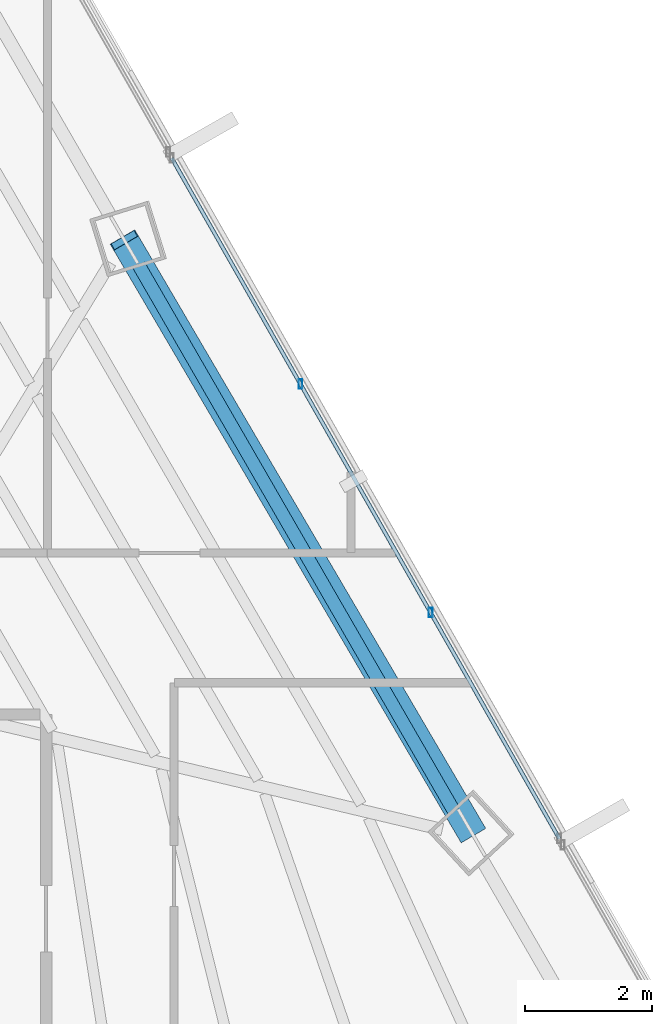
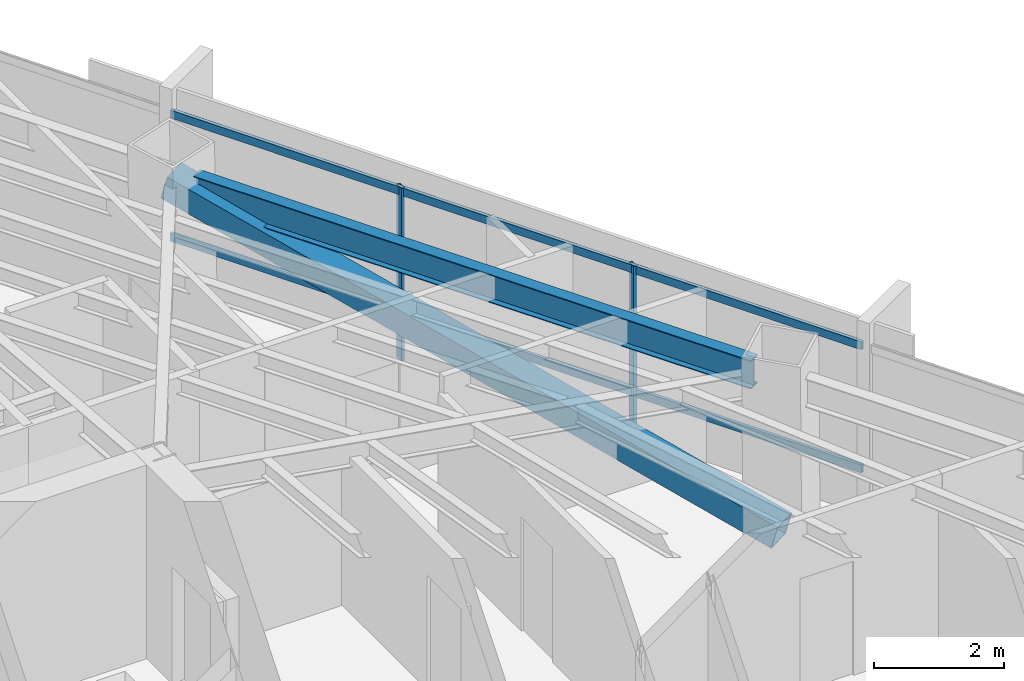
# One storey, part 25 of 40: 5 members, 1 beam, 1 element without a shape of its own.
"""IFC4 building model written with IfcOpenShell, lengths in metres."""

from ifc_helpers import new_model, si_unit, direction, frame, origin, origin_2d, place, context, subcontext, project, spatial, hollow_rectangle, i_section, extrude, source, transform, mapped, material, material_profile, profile_set, type_object, type_shapes, element, aggregate, save


model = new_model("IFC4")

# Units and contexts
model_context = context("Model", 3, precision=1e-05, world=origin(), true_north=direction((0.0, 1.0)))
body_context = subcontext(model_context, "Body", "Model", "MODEL_VIEW")
ifc_project = project(units=[si_unit("LENGTHUNIT", "METRE"), si_unit("AREAUNIT", "SQUARE_METRE"), si_unit("VOLUMEUNIT", "CUBIC_METRE"), si_unit("PLANEANGLEUNIT", "RADIAN"), si_unit("MASSUNIT", "GRAM", prefix="KILO")], contexts=[model_context])

# Site, building, storey
site_placement = place(None, origin())
site = spatial("IfcSite", under=ifc_project, at=site_placement, CompositionType="ELEMENT")
building_placement = place(site_placement, origin())
building = spatial("IfcBuilding", under=site, at=building_placement, Name="Caelisora Broadcast Tower", CompositionType="ELEMENT")
storey_placement = place(building_placement, frame((0.0, 0.0, 146.39990234375)))
storey = spatial("IfcBuildingStorey", under=building, at=storey_placement, Name="L38", CompositionType="ELEMENT", Elevation=146.39990234375)

# Beam
ifc_material_1 = material(Name="Steel Grade 350 (AS/NZS 3679.1)", Category="steel")
ifc_material_profile_1 = material_profile(ifc_material_1, i_section(OverallWidth=0.208984375, OverallDepth=0.532958984375, WebThickness=0.01025390625, FlangeThickness=0.015625, at=origin_2d()), Name="Steel Grade 350 (AS/NZS 3679.1)")
ifc_profile_set_1 = profile_set([ifc_material_profile_1], Name="Steel Grade 350 (AS/NZS 3679.1)")
beam_type = type_object("IfcBeamType", Name="PG05", PredefinedType="BEAM", material=ifc_profile_set_1)
shared_shape_1 = source(origin(), body_context, "Body", "SweptSolid", [
    extrude(i_section(OverallWidth=0.208984375, OverallDepth=0.532958984375, WebThickness=0.01025390625, FlangeThickness=0.015625, at=origin_2d()), origin(), (0.0, 0.0, 1.0), 9.93408203125),
])
type_shapes(beam_type, [shared_shape_1])
beam_placement = place(storey_placement, frame((55.0107421875, 28.085693359375, 2.983642578125), z_axis=(-0.499995463244, 0.866028023066, 0.0), x_axis=(-0.866028023066, -0.499995463244, 0.0)))
element("IfcBeam", 1, at=beam_placement, inside=storey, type_object=beam_type, Name="L38 beam PG05", PredefinedType="BEAM", context=body_context, shape_type="MappedRepresentation", body=[
    mapped(shared_shape_1, transform((0.0, 0.0, 0.0), scale=1.0)),
])

# Member
ifc_material_2 = material(Name="Steel Grade 450 (AS/NZS 1163 C450L0)", Category="steel")
ifc_material_profile_2 = material_profile(ifc_material_2, hollow_rectangle(XDim=0.449951171875, YDim=0.449951171875, WallThickness=0.01611328125, at=origin_2d()), Name="Steel Grade 450 (AS/NZS 1163 C450L0)")
ifc_profile_set_2 = profile_set([ifc_material_profile_2], Name="Steel Grade 450 (AS/NZS 1163 C450L0)")
member_type_1 = type_object("IfcMemberType", Name="BR03", PredefinedType="BRACE", material=ifc_profile_set_2)
shared_shape_2 = source(origin(), body_context, "Body", "SweptSolid", [
    extrude(hollow_rectangle(XDim=0.449951171875, YDim=0.449951171875, WallThickness=0.01611328125, at=origin_2d()), origin(), (0.0, 0.0, 1.0), 11.20654296875),
])
type_shapes(member_type_1, [shared_shape_2])
member_1_placement = place(storey_placement, frame((55.295166015625, 27.737548828125, 0.10009765625), z_axis=(-0.489124233601, 0.834312790585, 0.254321944729), x_axis=(-0.862677975112, -0.50575360726, 0.0)))
element("IfcMember", 2, at=member_1_placement, inside=storey, type_object=member_type_1, Name="L38 perimeter brace BR03", PredefinedType="BRACE", context=body_context, shape_type="MappedRepresentation", body=[
    mapped(shared_shape_2, transform((0.0, 0.0, 0.0), scale=1.0)),
])

# Curtain wall, members
ifc_material_3 = material(Name="Unitised Aluminium Insulated Shadow-Box Spandrel Curtain Wall", Category="aluminium")
curtain_wall_type = type_object("IfcCurtainWallType", Name="CW-SP2", PredefinedType="NOTDEFINED", material=ifc_material_3)
curtain_wall_placement = place(storey_placement, origin())
curtain_wall = element("IfcCurtainWall", 3, at=curtain_wall_placement, inside=storey, type_object=curtain_wall_type, Name="L38 curtain wall CW-SP2", PredefinedType="NOTDEFINED")
ifc_material_4 = material(Name="Aluminium 6063-T6 Anodised Terracotta Bronze", Category="aluminium")
ifc_material_profile_3 = material_profile(ifc_material_4, hollow_rectangle(XDim=0.06005859375, YDim=0.14990234375, WallThickness=0.00341796875, at=origin_2d()), Name="Aluminium 6063-T6 Anodised Terracotta Bronze")
ifc_profile_set_3 = profile_set([ifc_material_profile_3], Name="Aluminium 6063-T6 Anodised Terracotta Bronze")
member_type_2 = type_object("IfcMemberType", Name="CWM-03", PredefinedType="MULLION", material=ifc_profile_set_3)
shared_shape_3 = source(origin(), body_context, "Body", "SweptSolid", [
    extrude(hollow_rectangle(XDim=0.06005859375, YDim=0.14990234375, WallThickness=0.00341796875, at=origin_2d()), origin(), (0.0, 0.0, 1.0), 3.25),
])
type_shapes(member_type_2, [shared_shape_3])
member_2_placement = place(storey_placement, frame((52.593017578125, 34.8154296875, 0.0), z_axis=(0.0, 0.0, 1.0), x_axis=(1.0, 0.0, 0.0)))
member_2 = element("IfcMember", 4, at=member_2_placement, type_object=member_type_2, Name="L38-CW-B02 mullion #1", PredefinedType="MULLION", context=body_context, shape_type="MappedRepresentation", body=[
    mapped(shared_shape_3, transform((0.0, 0.0, 0.0), scale=1.0)),
])
member_3_placement = place(storey_placement, frame((54.648681640625, 31.2060546875, 0.0), z_axis=(0.0, 0.0, 1.0), x_axis=(1.0, 0.0, 0.0)))
member_3 = element("IfcMember", 5, at=member_3_placement, type_object=member_type_2, Name="L38-CW-B02 mullion #2", PredefinedType="MULLION", context=body_context, shape_type="MappedRepresentation", body=[
    mapped(shared_shape_3, transform((0.0, 0.0, 0.0), scale=1.0)),
])
ifc_material_profile_4 = material_profile(ifc_material_4, hollow_rectangle(XDim=0.06005859375, YDim=0.14990234375, WallThickness=0.00341796875, at=origin_2d()), Name="Aluminium 6063-T6 Anodised Terracotta Bronze")
ifc_profile_set_4 = profile_set([ifc_material_profile_4], Name="Aluminium 6063-T6 Anodised Terracotta Bronze")
member_type_3 = type_object("IfcMemberType", Name="CWT-02", PredefinedType="USERDEFINED", material=ifc_profile_set_4)
shared_shape_4 = source(origin(), body_context, "Body", "SweptSolid", [
    extrude(hollow_rectangle(XDim=0.06005859375, YDim=0.14990234375, WallThickness=0.00341796875, at=origin_2d()), origin(), (0.0, 0.0, 1.0), 12.361328125),
])
type_shapes(member_type_3, [shared_shape_4])
member_4_placement = place(storey_placement, frame((50.562255859375, 38.38134765625, 0.85009765625), z_axis=(0.494885639164, -0.868958114151, 0.0), x_axis=(0.868958114151, 0.494885639164, 0.0)))
member_4 = element("IfcMember", 6, at=member_4_placement, type_object=member_type_3, Name="L38-CW-B02 transom #1", ObjectType="TRANSOM", PredefinedType="USERDEFINED", context=body_context, shape_type="MappedRepresentation", body=[
    mapped(shared_shape_4, transform((0.0, 0.0, 0.0), scale=1.0)),
])
member_5_placement = place(storey_placement, frame((50.562255859375, 38.38134765625, 3.170166015625), z_axis=(0.494885639164, -0.868958114151, 0.0), x_axis=(0.868958114151, 0.494885639164, 0.0)))
member_5 = element("IfcMember", 7, at=member_5_placement, type_object=member_type_3, Name="L38-CW-B02 transom #2", ObjectType="TRANSOM", PredefinedType="USERDEFINED", context=body_context, shape_type="MappedRepresentation", body=[
    mapped(shared_shape_4, transform((0.0, 0.0, 0.0), scale=1.0)),
])
aggregate(curtain_wall, [member_2, member_3, member_4, member_5])

save(model, "model.ifc")
